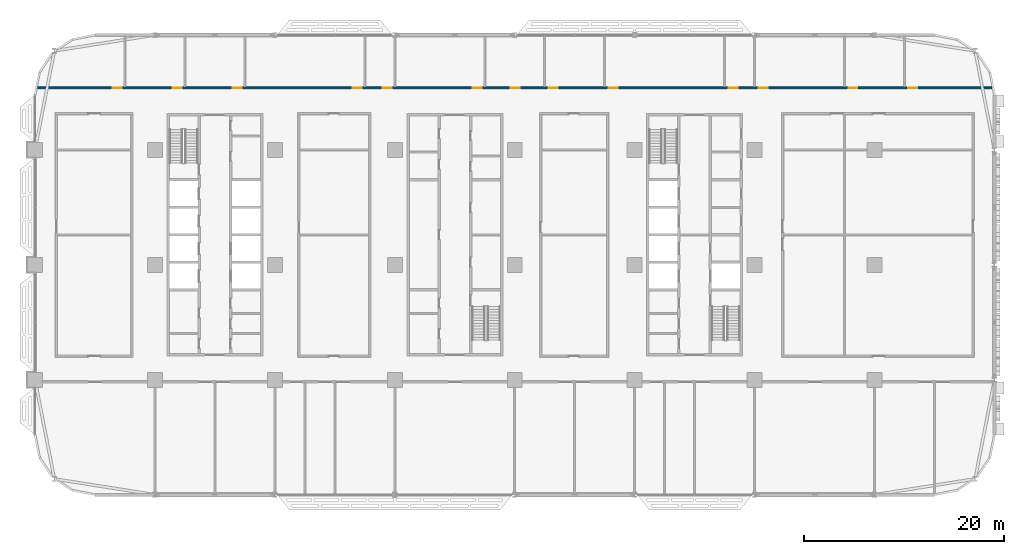
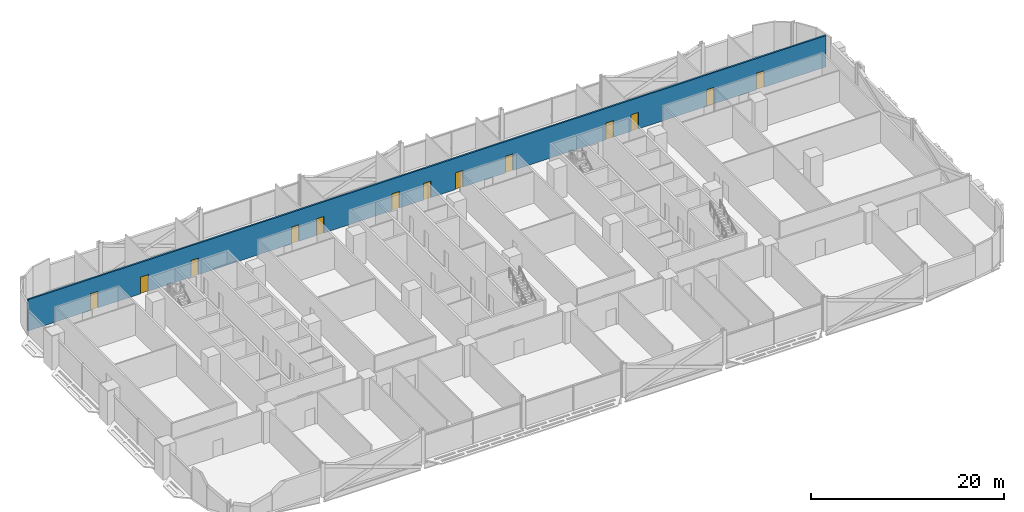
# One storey, part 15 of 29: 13 doors, 1 wall, 13 openings.
"""IFC4 building model written with IfcOpenShell, lengths in metres."""

from ifc_helpers import new_model, si_unit, direction, frame, frame_2d, origin, place, context, subcontext, project, spatial, rectangle, extrude, material, layer, layer_set, type_object, element, fill, save


model = new_model("IFC4")

# Units and contexts
model_context = context("Model", 3, precision=1e-05, world=origin(), true_north=direction((0.0, 1.0)))
body_context = subcontext(model_context, "Body", "Model", "MODEL_VIEW")
ifc_project = project(units=[si_unit("LENGTHUNIT", "METRE"), si_unit("AREAUNIT", "SQUARE_METRE"), si_unit("VOLUMEUNIT", "CUBIC_METRE"), si_unit("PLANEANGLEUNIT", "RADIAN"), si_unit("MASSUNIT", "GRAM", prefix="KILO")], contexts=[model_context])

# Site, building, storey
site_placement = place(None, origin())
site = spatial("IfcSite", under=ifc_project, at=site_placement, CompositionType="ELEMENT")
building_placement = place(site_placement, origin())
building = spatial("IfcBuilding", under=site, at=building_placement, Name="Mahtab Terrace Research Tower", CompositionType="ELEMENT")
storey_placement = place(building_placement, frame((0.0, 0.0, 58.89990234375)))
storey = spatial("IfcBuildingStorey", under=building, at=storey_placement, Name="L13", CompositionType="ELEMENT", Elevation=58.89990234375)

# Wall, openings, doors
ifc_material_1 = material(Name="Gypsum board corridor wall on steel studs", Category="steel")
ifc_layer = layer(ifc_material_1, 0.199951171875)
ifc_layer_set = layer_set([ifc_layer], Name="WALL CORRIDOR 200")
wall_type = type_object("IfcWallType", Name="WALL CORRIDOR 200", PredefinedType="PARTITIONING", material=ifc_layer_set)
wall_placement = place(storey_placement, frame((-41.707763671875, 17.699951171875, 0.0), z_axis=(0.0, 0.0, 1.0), x_axis=(1.0, 0.0, 0.0)))
wall = element("IfcWall", 1, at=wall_placement, inside=storey, type_object=wall_type, Name="L13-W026", PredefinedType="PARTITIONING", context=body_context, shape_type="SweptSolid", body=[
    extrude(rectangle(XDim=95.41552734375, YDim=0.199951171875, at=frame_2d((47.707763671875, 0.0))), origin(), (0.0, 0.0, 1.0), 3.960205078125),
])
opening_1_placement = place(wall_placement, frame((7.5, 0.0, 0.0)))
opening_1 = element("IfcOpeningElement", 2, at=opening_1_placement, cuts=wall, Name="Opening L13-131", PredefinedType="OPENING", context=body_context, shape_type="SweptSolid", body=[
    extrude(rectangle(XDim=0.89990234375, YDim=2.10009765625, at=frame_2d((0.449951171875, 1.050048828125))), frame((0.0, 0.10986328125, 0.0), z_axis=(0.0, -1.0, 0.0), x_axis=(1.0, 0.0, 0.0)), (0.0, 0.0, 1.0), 0.219970703125),
])
opening_2_placement = place(wall_placement, frame((13.5, 0.0, 0.0)))
opening_2 = element("IfcOpeningElement", 3, at=opening_2_placement, cuts=wall, Name="Opening L13-132", PredefinedType="OPENING", context=body_context, shape_type="SweptSolid", body=[
    extrude(rectangle(XDim=0.89990234375, YDim=2.10009765625, at=frame_2d((0.449951171875, 1.050048828125))), frame((0.0, 0.10986328125, 0.0), z_axis=(0.0, -1.0, 0.0), x_axis=(1.0, 0.0, 0.0)), (0.0, 0.0, 1.0), 0.219970703125),
])
opening_3_placement = place(wall_placement, frame((19.5, 0.0, 0.0)))
opening_3 = element("IfcOpeningElement", 4, at=opening_3_placement, cuts=wall, Name="Opening L13-133", PredefinedType="OPENING", context=body_context, shape_type="SweptSolid", body=[
    extrude(rectangle(XDim=0.89990234375, YDim=2.10009765625, at=frame_2d((0.449951171875, 1.050048828125))), frame((0.0, 0.10986328125, 0.0), z_axis=(0.0, -1.0, 0.0), x_axis=(1.0, 0.0, 0.0)), (0.0, 0.0, 1.0), 0.219970703125),
])
opening_4_placement = place(wall_placement, frame((31.5, 0.0, 0.0)))
opening_4 = element("IfcOpeningElement", 5, at=opening_4_placement, cuts=wall, Name="Opening L13-134", PredefinedType="OPENING", context=body_context, shape_type="SweptSolid", body=[
    extrude(rectangle(XDim=0.89990234375, YDim=2.10009765625, at=frame_2d((0.449951171875, 1.050048828125))), frame((0.0, 0.10986328125, 0.0), z_axis=(0.0, -1.0, 0.0), x_axis=(1.0, 0.0, 0.0)), (0.0, 0.0, 1.0), 0.219970703125),
])
opening_5_placement = place(wall_placement, frame((34.5, 0.0, 0.0)))
opening_5 = element("IfcOpeningElement", 6, at=opening_5_placement, cuts=wall, Name="Opening L13-135", PredefinedType="OPENING", context=body_context, shape_type="SweptSolid", body=[
    extrude(rectangle(XDim=0.89990234375, YDim=2.10009765625, at=frame_2d((0.449951171875, 1.050048828125))), frame((0.0, 0.10986328125, 0.0), z_axis=(0.0, -1.0, 0.0), x_axis=(1.0, 0.0, 0.0)), (0.0, 0.0, 1.0), 0.219970703125),
])
opening_6_placement = place(wall_placement, frame((43.5, 0.0, 0.0)))
opening_6 = element("IfcOpeningElement", 7, at=opening_6_placement, cuts=wall, Name="Opening L13-136", PredefinedType="OPENING", context=body_context, shape_type="SweptSolid", body=[
    extrude(rectangle(XDim=0.89990234375, YDim=2.10009765625, at=frame_2d((0.449951171875, 1.050048828125))), frame((0.0, 0.10986328125, 0.0), z_axis=(0.0, -1.0, 0.0), x_axis=(1.0, 0.0, 0.0)), (0.0, 0.0, 1.0), 0.219970703125),
])
opening_7_placement = place(wall_placement, frame((47.300048828125, 0.0, 0.0)))
opening_7 = element("IfcOpeningElement", 8, at=opening_7_placement, cuts=wall, Name="Opening L13-137", PredefinedType="OPENING", context=body_context, shape_type="SweptSolid", body=[
    extrude(rectangle(XDim=0.89990234375, YDim=2.10009765625, at=frame_2d((0.449951171875, 1.050048828125))), frame((0.0, 0.10986328125, 0.0), z_axis=(0.0, -1.0, 0.0), x_axis=(1.0, 0.0, 0.0)), (0.0, 0.0, 1.0), 0.219970703125),
])
opening_8_placement = place(wall_placement, frame((51.10009765625, 0.0, 0.0)))
opening_8 = element("IfcOpeningElement", 9, at=opening_8_placement, cuts=wall, Name="Opening L13-138", PredefinedType="OPENING", context=body_context, shape_type="SweptSolid", body=[
    extrude(rectangle(XDim=0.89990234375, YDim=2.10009765625, at=frame_2d((0.449951171875, 1.050048828125))), frame((0.0, 0.10986328125, 0.0), z_axis=(0.0, -1.0, 0.0), x_axis=(1.0, 0.0, 0.0)), (0.0, 0.0, 1.0), 0.219970703125),
])
opening_9_placement = place(wall_placement, frame((57.10009765625, 0.0, 0.0)))
opening_9 = element("IfcOpeningElement", 10, at=opening_9_placement, cuts=wall, Name="Opening L13-139", PredefinedType="OPENING", context=body_context, shape_type="SweptSolid", body=[
    extrude(rectangle(XDim=0.89990234375, YDim=2.10009765625, at=frame_2d((0.449951171875, 1.050048828125))), frame((0.0, 0.10986328125, 0.0), z_axis=(0.0, -1.0, 0.0), x_axis=(1.0, 0.0, 0.0)), (0.0, 0.0, 1.0), 0.219970703125),
])
opening_10_placement = place(wall_placement, frame((69.10009765625, 0.0, 0.0)))
opening_10 = element("IfcOpeningElement", 11, at=opening_10_placement, cuts=wall, Name="Opening L13-140", PredefinedType="OPENING", context=body_context, shape_type="SweptSolid", body=[
    extrude(rectangle(XDim=0.89990234375, YDim=2.10009765625, at=frame_2d((0.449951171875, 1.050048828125))), frame((0.0, 0.10986328125, 0.0), z_axis=(0.0, -1.0, 0.0), x_axis=(1.0, 0.0, 0.0)), (0.0, 0.0, 1.0), 0.219970703125),
])
opening_11_placement = place(wall_placement, frame((72.10009765625, 0.0, 0.0)))
opening_11 = element("IfcOpeningElement", 12, at=opening_11_placement, cuts=wall, Name="Opening L13-141", PredefinedType="OPENING", context=body_context, shape_type="SweptSolid", body=[
    extrude(rectangle(XDim=0.89990234375, YDim=2.10009765625, at=frame_2d((0.449951171875, 1.050048828125))), frame((0.0, 0.10986328125, 0.0), z_axis=(0.0, -1.0, 0.0), x_axis=(1.0, 0.0, 0.0)), (0.0, 0.0, 1.0), 0.219970703125),
])
opening_12_placement = place(wall_placement, frame((81.10009765625, 0.0, 0.0)))
opening_12 = element("IfcOpeningElement", 13, at=opening_12_placement, cuts=wall, Name="Opening L13-142", PredefinedType="OPENING", context=body_context, shape_type="SweptSolid", body=[
    extrude(rectangle(XDim=0.89990234375, YDim=2.10009765625, at=frame_2d((0.449951171875, 1.050048828125))), frame((0.0, 0.10986328125, 0.0), z_axis=(0.0, -1.0, 0.0), x_axis=(1.0, 0.0, 0.0)), (0.0, 0.0, 1.0), 0.219970703125),
])
opening_13_placement = place(wall_placement, frame((87.10009765625, 0.0, 0.0)))
opening_13 = element("IfcOpeningElement", 14, at=opening_13_placement, cuts=wall, Name="Opening L13-143", PredefinedType="OPENING", context=body_context, shape_type="SweptSolid", body=[
    extrude(rectangle(XDim=0.89990234375, YDim=2.10009765625, at=frame_2d((0.449951171875, 1.050048828125))), frame((0.0, 0.10986328125, 0.0), z_axis=(0.0, -1.0, 0.0), x_axis=(1.0, 0.0, 0.0)), (0.0, 0.0, 1.0), 0.219970703125),
])
ifc_material_2 = material(Name="Timber door leaf in steel frame", Category="steel")
door_type = type_object("IfcDoorType", Name="DOOR 0900X2100 FD30S", OperationType="SINGLE_SWING_LEFT", PredefinedType="DOOR", material=ifc_material_2)
door_1_placement = place(opening_1_placement, origin())
door_1 = element("IfcDoor", 15, at=door_1_placement, inside=storey, type_object=door_type, Name="Door L13-131", OperationType="SINGLE_SWING_LEFT", OverallHeight=2.10009765625, OverallWidth=0.89990234375, PredefinedType="DOOR", context=body_context, shape_type="SweptSolid", body=[
    extrude(rectangle(XDim=0.89990234375, YDim=2.10009765625, at=frame_2d((0.449951171875, 1.050048828125))), frame((0.0, 0.02490234375, 0.0), z_axis=(0.0, -1.0, 0.0), x_axis=(1.0, 0.0, 0.0)), (0.0, 0.0, 1.0), 0.050048828125),
])
fill(opening_1, door_1)
door_2_placement = place(opening_2_placement, origin())
door_2 = element("IfcDoor", 16, at=door_2_placement, inside=storey, type_object=door_type, Name="Door L13-132", OperationType="SINGLE_SWING_LEFT", OverallHeight=2.10009765625, OverallWidth=0.89990234375, PredefinedType="DOOR", context=body_context, shape_type="SweptSolid", body=[
    extrude(rectangle(XDim=0.89990234375, YDim=2.10009765625, at=frame_2d((0.449951171875, 1.050048828125))), frame((0.0, 0.02490234375, 0.0), z_axis=(0.0, -1.0, 0.0), x_axis=(1.0, 0.0, 0.0)), (0.0, 0.0, 1.0), 0.050048828125),
])
fill(opening_2, door_2)
door_3_placement = place(opening_3_placement, origin())
door_3 = element("IfcDoor", 17, at=door_3_placement, inside=storey, type_object=door_type, Name="Door L13-133", OperationType="SINGLE_SWING_LEFT", OverallHeight=2.10009765625, OverallWidth=0.89990234375, PredefinedType="DOOR", context=body_context, shape_type="SweptSolid", body=[
    extrude(rectangle(XDim=0.89990234375, YDim=2.10009765625, at=frame_2d((0.449951171875, 1.050048828125))), frame((0.0, 0.02490234375, 0.0), z_axis=(0.0, -1.0, 0.0), x_axis=(1.0, 0.0, 0.0)), (0.0, 0.0, 1.0), 0.050048828125),
])
fill(opening_3, door_3)
door_4_placement = place(opening_4_placement, origin())
door_4 = element("IfcDoor", 18, at=door_4_placement, inside=storey, type_object=door_type, Name="Door L13-134", OperationType="SINGLE_SWING_LEFT", OverallHeight=2.10009765625, OverallWidth=0.89990234375, PredefinedType="DOOR", context=body_context, shape_type="SweptSolid", body=[
    extrude(rectangle(XDim=0.89990234375, YDim=2.10009765625, at=frame_2d((0.449951171875, 1.050048828125))), frame((0.0, 0.02490234375, 0.0), z_axis=(0.0, -1.0, 0.0), x_axis=(1.0, 0.0, 0.0)), (0.0, 0.0, 1.0), 0.050048828125),
])
fill(opening_4, door_4)
door_5_placement = place(opening_5_placement, origin())
door_5 = element("IfcDoor", 19, at=door_5_placement, inside=storey, type_object=door_type, Name="Door L13-135", OperationType="SINGLE_SWING_LEFT", OverallHeight=2.10009765625, OverallWidth=0.89990234375, PredefinedType="DOOR", context=body_context, shape_type="SweptSolid", body=[
    extrude(rectangle(XDim=0.89990234375, YDim=2.10009765625, at=frame_2d((0.449951171875, 1.050048828125))), frame((0.0, 0.02490234375, 0.0), z_axis=(0.0, -1.0, 0.0), x_axis=(1.0, 0.0, 0.0)), (0.0, 0.0, 1.0), 0.050048828125),
])
fill(opening_5, door_5)
door_6_placement = place(opening_6_placement, origin())
door_6 = element("IfcDoor", 20, at=door_6_placement, inside=storey, type_object=door_type, Name="Door L13-136", OperationType="SINGLE_SWING_LEFT", OverallHeight=2.10009765625, OverallWidth=0.89990234375, PredefinedType="DOOR", context=body_context, shape_type="SweptSolid", body=[
    extrude(rectangle(XDim=0.89990234375, YDim=2.10009765625, at=frame_2d((0.449951171875, 1.050048828125))), frame((0.0, 0.02490234375, 0.0), z_axis=(0.0, -1.0, 0.0), x_axis=(1.0, 0.0, 0.0)), (0.0, 0.0, 1.0), 0.050048828125),
])
fill(opening_6, door_6)
door_7_placement = place(opening_7_placement, origin())
door_7 = element("IfcDoor", 21, at=door_7_placement, inside=storey, type_object=door_type, Name="Door L13-137", OperationType="SINGLE_SWING_RIGHT", OverallHeight=2.10009765625, OverallWidth=0.89990234375, PredefinedType="DOOR", context=body_context, shape_type="SweptSolid", body=[
    extrude(rectangle(XDim=0.89990234375, YDim=2.10009765625, at=frame_2d((0.449951171875, 1.050048828125))), frame((0.0, 0.02490234375, 0.0), z_axis=(0.0, -1.0, 0.0), x_axis=(1.0, 0.0, 0.0)), (0.0, 0.0, 1.0), 0.050048828125),
])
fill(opening_7, door_7)
door_8_placement = place(opening_8_placement, origin())
door_8 = element("IfcDoor", 22, at=door_8_placement, inside=storey, type_object=door_type, Name="Door L13-138", OperationType="SINGLE_SWING_RIGHT", OverallHeight=2.10009765625, OverallWidth=0.89990234375, PredefinedType="DOOR", context=body_context, shape_type="SweptSolid", body=[
    extrude(rectangle(XDim=0.89990234375, YDim=2.10009765625, at=frame_2d((0.449951171875, 1.050048828125))), frame((0.0, 0.02490234375, 0.0), z_axis=(0.0, -1.0, 0.0), x_axis=(1.0, 0.0, 0.0)), (0.0, 0.0, 1.0), 0.050048828125),
])
fill(opening_8, door_8)
door_9_placement = place(opening_9_placement, origin())
door_9 = element("IfcDoor", 23, at=door_9_placement, inside=storey, type_object=door_type, Name="Door L13-139", OperationType="SINGLE_SWING_RIGHT", OverallHeight=2.10009765625, OverallWidth=0.89990234375, PredefinedType="DOOR", context=body_context, shape_type="SweptSolid", body=[
    extrude(rectangle(XDim=0.89990234375, YDim=2.10009765625, at=frame_2d((0.449951171875, 1.050048828125))), frame((0.0, 0.02490234375, 0.0), z_axis=(0.0, -1.0, 0.0), x_axis=(1.0, 0.0, 0.0)), (0.0, 0.0, 1.0), 0.050048828125),
])
fill(opening_9, door_9)
door_10_placement = place(opening_10_placement, origin())
door_10 = element("IfcDoor", 24, at=door_10_placement, inside=storey, type_object=door_type, Name="Door L13-140", OperationType="SINGLE_SWING_RIGHT", OverallHeight=2.10009765625, OverallWidth=0.89990234375, PredefinedType="DOOR", context=body_context, shape_type="SweptSolid", body=[
    extrude(rectangle(XDim=0.89990234375, YDim=2.10009765625, at=frame_2d((0.449951171875, 1.050048828125))), frame((0.0, 0.02490234375, 0.0), z_axis=(0.0, -1.0, 0.0), x_axis=(1.0, 0.0, 0.0)), (0.0, 0.0, 1.0), 0.050048828125),
])
fill(opening_10, door_10)
door_11_placement = place(opening_11_placement, origin())
door_11 = element("IfcDoor", 25, at=door_11_placement, inside=storey, type_object=door_type, Name="Door L13-141", OperationType="SINGLE_SWING_RIGHT", OverallHeight=2.10009765625, OverallWidth=0.89990234375, PredefinedType="DOOR", context=body_context, shape_type="SweptSolid", body=[
    extrude(rectangle(XDim=0.89990234375, YDim=2.10009765625, at=frame_2d((0.449951171875, 1.050048828125))), frame((0.0, 0.02490234375, 0.0), z_axis=(0.0, -1.0, 0.0), x_axis=(1.0, 0.0, 0.0)), (0.0, 0.0, 1.0), 0.050048828125),
])
fill(opening_11, door_11)
door_12_placement = place(opening_12_placement, origin())
door_12 = element("IfcDoor", 26, at=door_12_placement, inside=storey, type_object=door_type, Name="Door L13-142", OperationType="SINGLE_SWING_RIGHT", OverallHeight=2.10009765625, OverallWidth=0.89990234375, PredefinedType="DOOR", context=body_context, shape_type="SweptSolid", body=[
    extrude(rectangle(XDim=0.89990234375, YDim=2.10009765625, at=frame_2d((0.449951171875, 1.050048828125))), frame((0.0, 0.02490234375, 0.0), z_axis=(0.0, -1.0, 0.0), x_axis=(1.0, 0.0, 0.0)), (0.0, 0.0, 1.0), 0.050048828125),
])
fill(opening_12, door_12)
door_13_placement = place(opening_13_placement, origin())
door_13 = element("IfcDoor", 27, at=door_13_placement, inside=storey, type_object=door_type, Name="Door L13-143", OperationType="SINGLE_SWING_RIGHT", OverallHeight=2.10009765625, OverallWidth=0.89990234375, PredefinedType="DOOR", context=body_context, shape_type="SweptSolid", body=[
    extrude(rectangle(XDim=0.89990234375, YDim=2.10009765625, at=frame_2d((0.449951171875, 1.050048828125))), frame((0.0, 0.02490234375, 0.0), z_axis=(0.0, -1.0, 0.0), x_axis=(1.0, 0.0, 0.0)), (0.0, 0.0, 1.0), 0.050048828125),
])
fill(opening_13, door_13)

save(model, "model.ifc")
